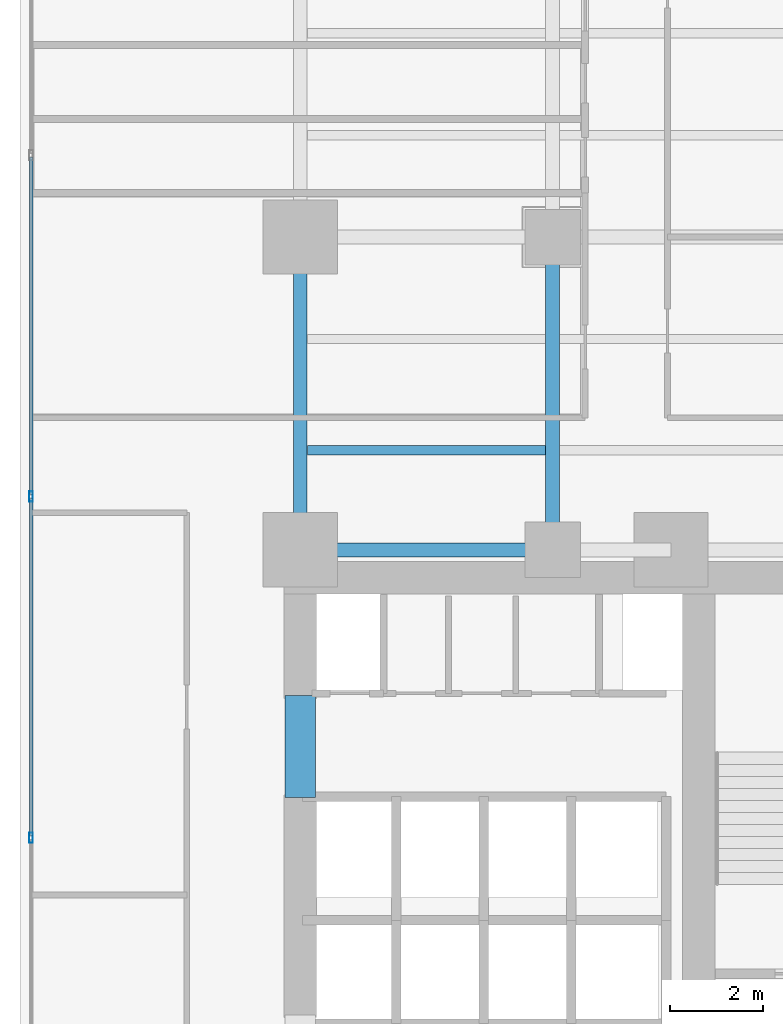
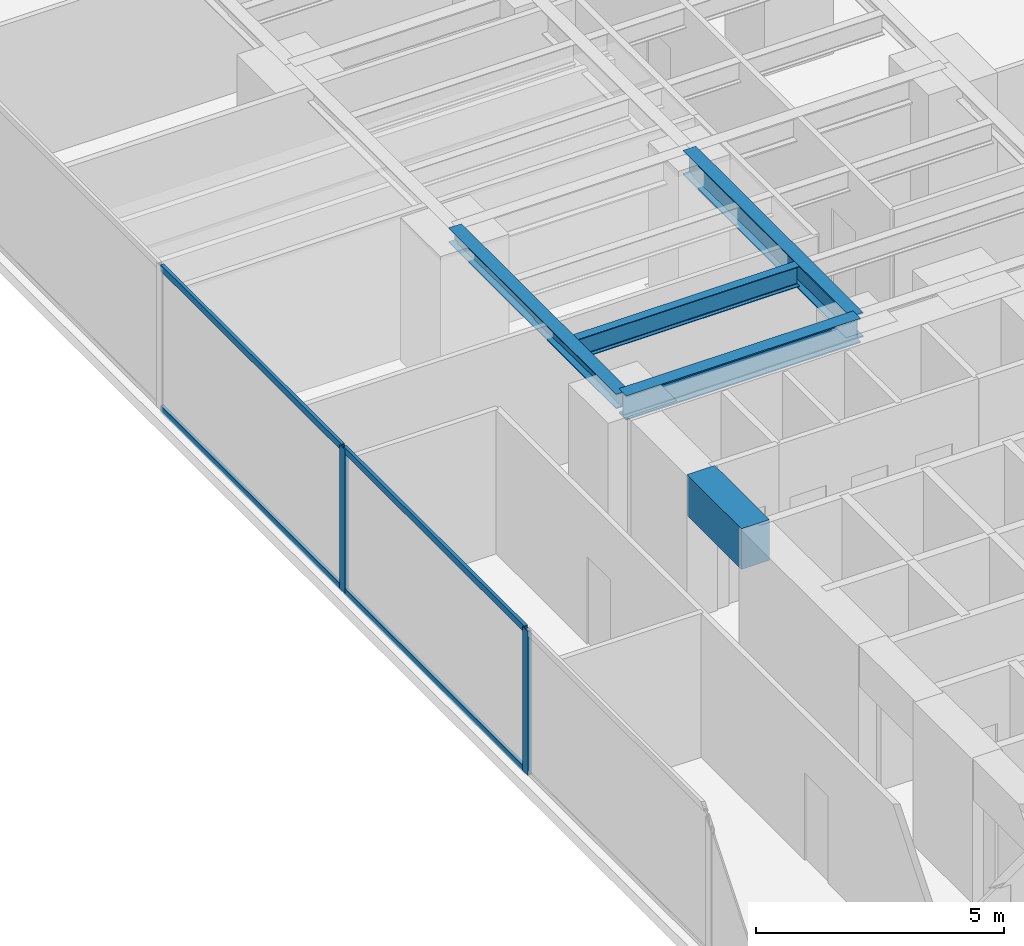
# One storey, part 6 of 26: 6 members, 5 beams, 1 element without a shape of its own.
"""IFC4 building model written with IfcOpenShell, lengths in metres."""

from ifc_helpers import new_model, si_unit, direction, frame, origin, origin_with_axes, origin_2d, place, context, subcontext, project, spatial, rectangle, hollow_rectangle, i_section, extrude, source, transform, mapped, material, layer, layer_set, material_profile, profile_set, type_object, element, aggregate, save


model = new_model("IFC4")

# Units and contexts
model_context = context("Model", 3, precision=1e-05, world=origin(), true_north=direction((0.0, 1.0)))
body_context = subcontext(model_context, "Body", "Model", "MODEL_VIEW")
ifc_project = project(units=[si_unit("LENGTHUNIT", "METRE"), si_unit("AREAUNIT", "SQUARE_METRE"), si_unit("VOLUMEUNIT", "CUBIC_METRE"), si_unit("PLANEANGLEUNIT", "RADIAN"), si_unit("MASSUNIT", "GRAM", prefix="KILO")], contexts=[model_context])

# Site, building, storey
site_placement = place(None, origin())
site = spatial("IfcSite", under=ifc_project, at=site_placement, CompositionType="ELEMENT")
building_placement = place(site_placement, origin())
building = spatial("IfcBuilding", under=site, at=building_placement, Name="Kolvaren Waterfront Exchange", CompositionType="ELEMENT")
storey_placement = place(building_placement, frame((0.0, 0.0, 48.60009765625)))
storey = spatial("IfcBuildingStorey", under=building, at=storey_placement, Name="L12", CompositionType="ELEMENT", Elevation=48.60009765625)

# Beams
ifc_material_1 = material(Name="Steel S355", Category="steel")
ifc_material_profile_1 = material_profile(ifc_material_1, i_section(OverallWidth=0.300048828125, OverallDepth=0.360107421875, WebThickness=0.012451171875, FlangeThickness=0.0224609375, FilletRadius=0.027099609375, at=origin_2d()), Name="HEB360")
ifc_profile_set_1 = profile_set([ifc_material_profile_1], Name="Steel S355")
beam_type_1 = type_object("IfcBeamType", Name="STR-BM-HEB360", PredefinedType="SPANDREL", material=ifc_profile_set_1)
beam_1_placement = place(storey_placement, frame((7.449951171875, 24.449951171875, 3.35986328125), z_axis=(0.0, 1.0, 0.0), x_axis=(-1.0, 0.0, 0.0)))
element("IfcBeam", 1, at=beam_1_placement, inside=storey, type_object=beam_type_1, Name="L12 north-arm edge beam 1", PredefinedType="SPANDREL", context=body_context, shape_type="SweptSolid", body=[
    extrude(i_section(OverallWidth=0.300048828125, OverallDepth=0.360107421875, WebThickness=0.012451171875, FlangeThickness=0.0224609375, FilletRadius=0.027099609375, at=origin_2d()), origin(), (0.0, 0.0, 1.0), 6.75),
])
ifc_material_profile_2 = material_profile(ifc_material_1, i_section(OverallWidth=0.300048828125, OverallDepth=0.60009765625, WebThickness=0.015380859375, FlangeThickness=0.030029296875, FilletRadius=0.027099609375, at=origin_2d()), Name="HEB600")
ifc_profile_set_2 = profile_set([ifc_material_profile_2], Name="Steel S355")
beam_type_2 = type_object("IfcBeamType", Name="STR-BM-HEB600", PredefinedType="BEAM", material=ifc_profile_set_2)
beam_2_placement = place(storey_placement, frame((7.449951171875, 24.449951171875, 3.239990234375), z_axis=(1.0, 0.0, 0.0), x_axis=(0.0, 1.0, 0.0)))
element("IfcBeam", 2, at=beam_2_placement, inside=storey, type_object=beam_type_2, Name="L12 north-arm girder 1A", PredefinedType="BEAM", context=body_context, shape_type="SweptSolid", body=[
    extrude(i_section(OverallWidth=0.300048828125, OverallDepth=0.60009765625, WebThickness=0.015380859375, FlangeThickness=0.030029296875, FilletRadius=0.027099609375, at=origin_2d()), origin(), (0.0, 0.0, 1.0), 5.449951171875),
])
beam_3_placement = place(storey_placement, frame((12.89990234375, 24.449951171875, 3.239990234375), z_axis=(0.0, 1.0, 0.0), x_axis=(-1.0, 0.0, 0.0)))
element("IfcBeam", 3, at=beam_3_placement, inside=storey, type_object=beam_type_2, Name="L12 north-arm edge beam 1", PredefinedType="BEAM", context=body_context, shape_type="SweptSolid", body=[
    extrude(i_section(OverallWidth=0.300048828125, OverallDepth=0.60009765625, WebThickness=0.015380859375, FlangeThickness=0.030029296875, FilletRadius=0.027099609375, at=origin_2d()), origin(), (0.0, 0.0, 1.0), 6.75),
])
ifc_material_profile_3 = material_profile(ifc_material_1, i_section(OverallWidth=0.199951171875, OverallDepth=0.5, WebThickness=0.01025390625, FlangeThickness=0.01611328125, FilletRadius=0.02099609375, at=origin_2d()), Name="IPE500")
ifc_profile_set_3 = profile_set([ifc_material_profile_3], Name="Steel S355")
beam_type_3 = type_object("IfcBeamType", Name="STR-BM-IPE500", PredefinedType="JOIST", material=ifc_profile_set_3)
beam_4_placement = place(storey_placement, frame((7.60205078125, 26.60009765625, 3.289794921875), z_axis=(1.0, 0.0, 0.0), x_axis=(0.0, 1.0, 0.0)))
element("IfcBeam", 4, at=beam_4_placement, inside=storey, type_object=beam_type_3, Name="L12 north-arm composite joist 1A", PredefinedType="JOIST", context=body_context, shape_type="SweptSolid", body=[
    extrude(i_section(OverallWidth=0.199951171875, OverallDepth=0.5, WebThickness=0.01025390625, FlangeThickness=0.01611328125, FilletRadius=0.02099609375, at=origin_2d()), origin(), (0.0, 0.0, 1.0), 5.14599609375),
])
ifc_material_2 = material(Name="Concrete C60/75", Category="concrete")
ifc_material_profile_4 = material_profile(ifc_material_2, rectangle(XDim=0.64990234375, YDim=1.0, at=origin_2d()), Name="RC-CB-1000x650")
ifc_profile_set_4 = profile_set([ifc_material_profile_4], Name="Concrete C60/75")
beam_type_4 = type_object("IfcBeamType", Name="STR-CB-1000", PredefinedType="SPANDREL", material=ifc_profile_set_4)
beam_5_placement = place(storey_placement, frame((7.449951171875, 19.10009765625, 3.039794921875), z_axis=(0.0, 1.0, 0.0), x_axis=(-1.0, 0.0, 0.0)))
element("IfcBeam", 5, at=beam_5_placement, inside=storey, type_object=beam_type_4, Name="L12 core coupling beam 5", PredefinedType="SPANDREL", context=body_context, shape_type="SweptSolid", body=[
    extrude(rectangle(XDim=0.64990234375, YDim=1.0, at=origin_2d()), origin(), (0.0, 0.0, 1.0), 2.199951171875),
])

# Curtain wall, members
ifc_material_3 = material(Name="Anodised aluminium 6063-T6", Category="aluminium")
ifc_layer = layer(ifc_material_3, 0.219970703125, Name="Anodised aluminium 6063-T6")
ifc_layer_set = layer_set([ifc_layer], Name="Anodised aluminium 6063-T6")
curtain_wall_type = type_object("IfcCurtainWallType", Name="ARC-CW-SYS2", PredefinedType="USERDEFINED", material=ifc_layer_set)
curtain_wall_placement = place(storey_placement, origin())
curtain_wall = element("IfcCurtainWall", 6, at=curtain_wall_placement, inside=storey, type_object=curtain_wall_type, Name="L12 stick curtain wall CW2 (CW-L12-W)", ObjectType="STICK CURTAIN WALL", PredefinedType="USERDEFINED")
ifc_material_profile_5 = material_profile(ifc_material_3, hollow_rectangle(XDim=0.080078125, YDim=0.219970703125, WallThickness=0.0048828125, at=origin_2d()), Name="ALU-MUL-220x80x5")
ifc_profile_set_5 = profile_set([ifc_material_profile_5], Name="Anodised aluminium 6063-T6")
member_type_1 = type_object("IfcMemberType", Name="ARC-CWM-220", PredefinedType="MULLION", material=ifc_profile_set_5)
shared_shape_1 = source(origin_with_axes(), body_context, "Body", "SweptSolid", [
    extrude(hollow_rectangle(XDim=0.080078125, YDim=0.219970703125, WallThickness=0.0048828125, at=origin_2d()), origin(), (0.0, 0.0, 1.0), 3.539794921875),
])
member_1_placement = place(storey_placement, frame((1.639892578125, 18.2333984375, 0.0), z_axis=(0.0, 0.0, 1.0), x_axis=(-1.0, 0.0, 0.0)))
member_1 = element("IfcMember", 7, at=member_1_placement, type_object=member_type_1, Name="CW2 mullion 3", PredefinedType="MULLION", context=body_context, shape_type="MappedRepresentation", body=[
    mapped(shared_shape_1, transform((0.0, 0.0, 0.0), x_axis=(1.0, 0.0, 0.0), y_axis=(0.0, 1.0, 0.0), z_axis=(0.0, 0.0, 1.0), scale=1.0)),
])
member_2_placement = place(storey_placement, frame((1.639892578125, 25.60009765625, 0.0), z_axis=(0.0, 0.0, 1.0), x_axis=(-1.0, 0.0, 0.0)))
member_2 = element("IfcMember", 8, at=member_2_placement, type_object=member_type_1, Name="CW2 mullion 4", PredefinedType="MULLION", context=body_context, shape_type="MappedRepresentation", body=[
    mapped(shared_shape_1, transform((0.0, 0.0, 0.0), x_axis=(1.0, 0.0, 0.0), y_axis=(0.0, 1.0, 0.0), z_axis=(0.0, 0.0, 1.0), scale=1.0)),
])
ifc_material_profile_6 = material_profile(ifc_material_3, hollow_rectangle(XDim=0.074951171875, YDim=0.159912109375, WallThickness=0.00439453125, at=origin_2d()), Name="ALU-TRN-160x75x4.5")
ifc_profile_set_6 = profile_set([ifc_material_profile_6], Name="Anodised aluminium 6063-T6")
member_type_2 = type_object("IfcMemberType", Name="ARC-CWT-160", PredefinedType="USERDEFINED", material=ifc_profile_set_6)
shared_shape_2 = source(origin_with_axes(), body_context, "Body", "SweptSolid", [
    extrude(hollow_rectangle(XDim=0.074951171875, YDim=0.159912109375, WallThickness=0.00439453125, at=origin_2d()), origin(), (0.0, 0.0, 1.0), 7.28662109375),
])
member_3_placement = place(storey_placement, frame((1.639892578125, 18.2734375, 0.037353515625), z_axis=(0.0, 1.0, 0.0), x_axis=(-1.0, 0.0, 0.0)))
member_3 = element("IfcMember", 9, at=member_3_placement, type_object=member_type_2, Name="CW2 transom 3.1", ObjectType="TRANSOM", PredefinedType="USERDEFINED", context=body_context, shape_type="MappedRepresentation", body=[
    mapped(shared_shape_2, transform((0.0, 0.0, 0.0), x_axis=(1.0, 0.0, 0.0), y_axis=(0.0, 1.0, 0.0), z_axis=(0.0, 0.0, 1.0), scale=1.0)),
])
member_4_placement = place(storey_placement, frame((1.639892578125, 18.2734375, 3.50244140625), z_axis=(0.0, 1.0, 0.0), x_axis=(-1.0, 0.0, 0.0)))
member_4 = element("IfcMember", 10, at=member_4_placement, type_object=member_type_2, Name="CW2 transom 3.2", ObjectType="TRANSOM", PredefinedType="USERDEFINED", context=body_context, shape_type="MappedRepresentation", body=[
    mapped(shared_shape_2, transform((0.0, 0.0, 0.0), x_axis=(1.0, 0.0, 0.0), y_axis=(0.0, 1.0, 0.0), z_axis=(0.0, 0.0, 1.0), scale=1.0)),
])
shared_shape_3 = source(origin_with_axes(), body_context, "Body", "SweptSolid", [
    extrude(hollow_rectangle(XDim=0.074951171875, YDim=0.159912109375, WallThickness=0.00439453125, at=origin_2d()), origin(), (0.0, 0.0, 1.0), 7.286865234375),
])
member_5_placement = place(storey_placement, frame((1.639892578125, 25.639892578125, 0.037353515625), z_axis=(0.0, 1.0, 0.0), x_axis=(-1.0, 0.0, 0.0)))
member_5 = element("IfcMember", 11, at=member_5_placement, type_object=member_type_2, Name="CW2 transom 4.1", ObjectType="TRANSOM", PredefinedType="USERDEFINED", context=body_context, shape_type="MappedRepresentation", body=[
    mapped(shared_shape_3, transform((0.0, 0.0, 0.0), x_axis=(1.0, 0.0, 0.0), y_axis=(0.0, 1.0, 0.0), z_axis=(0.0, 0.0, 1.0), scale=1.0)),
])
member_6_placement = place(storey_placement, frame((1.639892578125, 25.639892578125, 3.50244140625), z_axis=(0.0, 1.0, 0.0), x_axis=(-1.0, 0.0, 0.0)))
member_6 = element("IfcMember", 12, at=member_6_placement, type_object=member_type_2, Name="CW2 transom 4.2", ObjectType="TRANSOM", PredefinedType="USERDEFINED", context=body_context, shape_type="MappedRepresentation", body=[
    mapped(shared_shape_3, transform((0.0, 0.0, 0.0), x_axis=(1.0, 0.0, 0.0), y_axis=(0.0, 1.0, 0.0), z_axis=(0.0, 0.0, 1.0), scale=1.0)),
])
aggregate(curtain_wall, [member_1, member_2, member_3, member_4, member_5, member_6])

save(model, "model.ifc")
